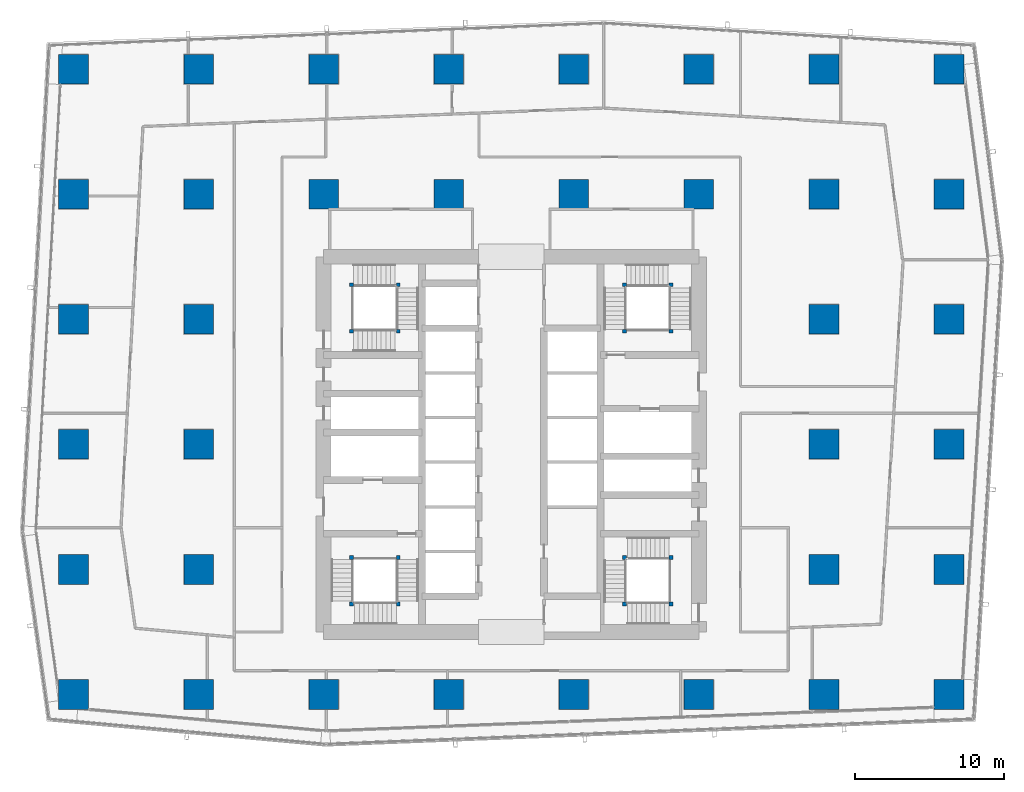
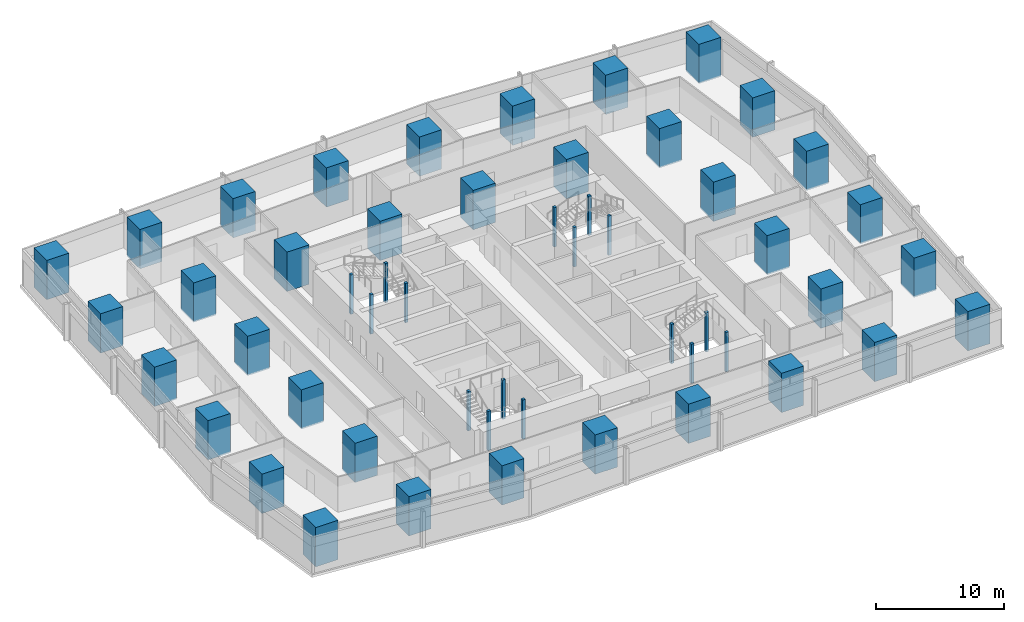
# One storey, part 1 of 39: 52 columns.
"""IFC4 building model written with IfcOpenShell, lengths in metres."""

from ifc_helpers import new_model, si_unit, direction, frame, origin, origin_2d, place, context, subcontext, project, spatial, rectangle, extrude, material, material_profile, profile_set, type_object, element, save


model = new_model("IFC4")

# Units and contexts
model_context = context("Model", 3, precision=1e-05, world=origin(), true_north=direction((0.0, 1.0)))
body_context = subcontext(model_context, "Body", "Model", "MODEL_VIEW")
ifc_project = project(units=[si_unit("LENGTHUNIT", "METRE"), si_unit("AREAUNIT", "SQUARE_METRE"), si_unit("VOLUMEUNIT", "CUBIC_METRE"), si_unit("PLANEANGLEUNIT", "RADIAN"), si_unit("MASSUNIT", "GRAM", prefix="KILO")], contexts=[model_context])

# Site, building, storey
site_placement = place(None, origin())
site = spatial("IfcSite", under=ifc_project, at=site_placement, CompositionType="ELEMENT")
building_placement = place(site_placement, origin())
building = spatial("IfcBuilding", under=site, at=building_placement, Name="Rekha Terrace Tower", CompositionType="ELEMENT")
storey_placement = place(building_placement, frame((0.0, 0.0, 147.800048828125)))
storey = spatial("IfcBuildingStorey", under=building, at=storey_placement, Name="L37", CompositionType="ELEMENT", Elevation=147.800048828125)

# Columns
ifc_material_1 = material(Name="Concrete M70", Category="concrete")
ifc_material_profile_1 = material_profile(ifc_material_1, rectangle(XDim=2.0, YDim=2.0, at=origin_2d()), Name="RC 2000x2000")
ifc_profile_set_1 = profile_set([ifc_material_profile_1], Name="Concrete M70")
column_type_1 = type_object("IfcColumnType", Name="C3C 2000x2000 column", PredefinedType="COLUMN", material=ifc_profile_set_1)
for number, where, z_axis, x_axis, name in (
    (1, (8.39990234375, 16.800048828125, 0.0), (0.0, 0.0, 1.0), (1.0, 0.0, 0.0), "Column C3C 2/C L37"),
    (2, (8.39990234375, 25.199951171875, 0.0), (0.0, 0.0, 1.0), (1.0, 0.0, 0.0), "Column C3C 2/D L37"),
    (3, (8.39990234375, 33.60009765625, 0.0), (0.0, 0.0, 1.0), (1.0, 0.0, 0.0), "Column C3C 2/E L37"),
    (4, (8.39990234375, 42.0, 0.0), (0.0, 0.0, 1.0), (1.0, 0.0, 0.0), "Column C3C 2/F L37"),
    (5, (8.39990234375, 50.39990234375, 0.0), (0.0, 0.0, 1.0), (1.0, 0.0, 0.0), "Column C3C 2/G L37"),
    (6, (8.39990234375, 58.800048828125, 0.0), (0.0, 0.0, 1.0), (1.0, 0.0, 0.0), "Column C3C 2/H L37"),
    (7, (16.800048828125, 16.800048828125, 0.0), (0.0, 0.0, 1.0), (1.0, 0.0, 0.0), "Column C3C 3/C L37"),
    (8, (16.800048828125, 25.199951171875, 0.0), (0.0, 0.0, 1.0), (1.0, 0.0, 0.0), "Column C3C 3/D L37"),
    (9, (16.800048828125, 33.60009765625, 0.0), (0.0, 0.0, 1.0), (1.0, 0.0, 0.0), "Column C3C 3/E L37"),
    (10, (16.800048828125, 42.0, 0.0), (0.0, 0.0, 1.0), (1.0, 0.0, 0.0), "Column C3C 3/F L37"),
    (11, (16.800048828125, 50.39990234375, 0.0), (0.0, 0.0, 1.0), (1.0, 0.0, 0.0), "Column C3C 3/G L37"),
    (12, (16.800048828125, 58.800048828125, 0.0), (0.0, 0.0, 1.0), (1.0, 0.0, 0.0), "Column C3C 3/H L37"),
    (13, (25.199951171875, 16.800048828125, 0.0), (0.0, 0.0, 1.0), (1.0, 0.0, 0.0), "Column C3C 4/C L37"),
    (14, (25.199951171875, 50.39990234375, 0.0), (0.0, 0.0, 1.0), (1.0, 0.0, 0.0), "Column C3C 4/G L37"),
    (15, (25.199951171875, 58.800048828125, 0.0), (0.0, 0.0, 1.0), (1.0, 0.0, 0.0), "Column C3C 4/H L37"),
    (16, (33.60009765625, 16.800048828125, 0.0), (0.0, 0.0, 1.0), (1.0, 0.0, 0.0), "Column C3C 5/C L37"),
    (17, (33.60009765625, 50.39990234375, 0.0), (0.0, 0.0, 1.0), (1.0, 0.0, 0.0), "Column C3C 5/G L37"),
    (18, (33.60009765625, 58.800048828125, 0.0), (0.0, 0.0, 1.0), (1.0, 0.0, 0.0), "Column C3C 5/H L37"),
    (19, (42.0, 16.800048828125, 0.0), (0.0, 0.0, 1.0), (1.0, 0.0, 0.0), "Column C3C 6/C L37"),
    (20, (42.0, 50.39990234375, 0.0), (0.0, 0.0, 1.0), (1.0, 0.0, 0.0), "Column C3C 6/G L37"),
    (21, (42.0, 58.800048828125, 0.0), (0.0, 0.0, 1.0), (1.0, 0.0, 0.0), "Column C3C 6/H L37"),
    (22, (50.39990234375, 16.800048828125, 0.0), (0.0, 0.0, 1.0), (1.0, 0.0, 0.0), "Column C3C 7/C L37"),
    (23, (50.39990234375, 50.39990234375, 0.0), (0.0, 0.0, 1.0), (1.0, 0.0, 0.0), "Column C3C 7/G L37"),
    (24, (50.39990234375, 58.800048828125, 0.0), (0.0, 0.0, 1.0), (1.0, 0.0, 0.0), "Column C3C 7/H L37"),
    (25, (58.800048828125, 16.800048828125, 0.0), (0.0, 0.0, 1.0), (1.0, 0.0, 0.0), "Column C3C 8/C L37"),
    (26, (58.800048828125, 25.199951171875, 0.0), (0.0, 0.0, 1.0), (1.0, 0.0, 0.0), "Column C3C 8/D L37"),
    (27, (58.800048828125, 33.60009765625, 0.0), (0.0, 0.0, 1.0), (1.0, 0.0, 0.0), "Column C3C 8/E L37"),
    (28, (58.800048828125, 42.0, 0.0), (0.0, 0.0, 1.0), (1.0, 0.0, 0.0), "Column C3C 8/F L37"),
    (29, (58.800048828125, 50.39990234375, 0.0), (0.0, 0.0, 1.0), (1.0, 0.0, 0.0), "Column C3C 8/G L37"),
    (30, (58.800048828125, 58.800048828125, 0.0), (0.0, 0.0, 1.0), (1.0, 0.0, 0.0), "Column C3C 8/H L37"),
    (31, (67.199951171875, 16.800048828125, 0.0), (0.0, 0.0, 1.0), (1.0, 0.0, 0.0), "Column C3C 9/C L37"),
    (32, (67.199951171875, 25.199951171875, 0.0), (0.0, 0.0, 1.0), (1.0, 0.0, 0.0), "Column C3C 9/D L37"),
    (33, (67.199951171875, 33.60009765625, 0.0), (0.0, 0.0, 1.0), (1.0, 0.0, 0.0), "Column C3C 9/E L37"),
    (34, (67.199951171875, 42.0, 0.0), (0.0, 0.0, 1.0), (1.0, 0.0, 0.0), "Column C3C 9/F L37"),
    (35, (67.199951171875, 50.39990234375, 0.0), (0.0, 0.0, 1.0), (1.0, 0.0, 0.0), "Column C3C 9/G L37"),
    (36, (67.199951171875, 58.800048828125, 0.0), (0.0, 0.0, 1.0), (1.0, 0.0, 0.0), "Column C3C 9/H L37"),
):
    element("IfcColumn", number, at=place(storey_placement, frame(where, z_axis=z_axis, x_axis=x_axis)), inside=storey, type_object=column_type_1, Name=name, PredefinedType="COLUMN", context=body_context, shape_type="SweptSolid", body=[
        extrude(rectangle(XDim=2.0, YDim=2.0, at=origin_2d()), origin(), (0.0, 0.0, 1.0), 3.75),
    ])
ifc_material_2 = material(Name="Concrete M60", Category="concrete")
ifc_material_profile_2 = material_profile(ifc_material_2, rectangle(XDim=0.25, YDim=0.25, at=origin_2d()), Name="RC 250x250")
ifc_profile_set_2 = profile_set([ifc_material_profile_2], Name="Concrete M60")
column_type_2 = type_object("IfcColumnType", Name="NP1 250x250 stair newel post", PredefinedType="COLUMN", material=ifc_profile_set_2)
for number, where, z_axis, x_axis, name in (
    (37, (30.199951171875, 26.0, 0.0), (0.0, 0.0, 1.0), (1.0, 0.0, 0.0), "Stair newel post NP1"),
    (38, (30.199951171875, 22.875, 0.0), (0.0, 0.0, 1.0), (1.0, 0.0, 0.0), "Stair newel post NP1"),
    (39, (27.074951171875, 22.875, 0.0), (0.0, 0.0, 1.0), (1.0, 0.0, 0.0), "Stair newel post NP1"),
    (40, (27.074951171875, 26.0, 0.0), (0.0, 0.0, 1.0), (1.0, 0.0, 0.0), "Stair newel post NP1"),
    (41, (45.39990234375, 41.199951171875, 0.0), (0.0, 0.0, 1.0), (1.0, 0.0, 0.0), "Stair newel post NP1"),
    (42, (45.39990234375, 44.324951171875, 0.0), (0.0, 0.0, 1.0), (1.0, 0.0, 0.0), "Stair newel post NP1"),
    (43, (48.52490234375, 44.324951171875, 0.0), (0.0, 0.0, 1.0), (1.0, 0.0, 0.0), "Stair newel post NP1"),
    (44, (48.52490234375, 41.199951171875, 0.0), (0.0, 0.0, 1.0), (1.0, 0.0, 0.0), "Stair newel post NP1"),
    (45, (48.52490234375, 22.875, 0.0), (0.0, 0.0, 1.0), (1.0, 0.0, 0.0), "Stair newel post NP1"),
    (46, (45.39990234375, 22.875, 0.0), (0.0, 0.0, 1.0), (1.0, 0.0, 0.0), "Stair newel post NP1"),
    (47, (45.39990234375, 26.0, 0.0), (0.0, 0.0, 1.0), (1.0, 0.0, 0.0), "Stair newel post NP1"),
    (48, (48.52490234375, 26.0, 0.0), (0.0, 0.0, 1.0), (1.0, 0.0, 0.0), "Stair newel post NP1"),
    (49, (27.074951171875, 41.199951171875, 0.0), (0.0, 0.0, 1.0), (1.0, 0.0, 0.0), "Stair newel post NP1"),
    (50, (30.199951171875, 41.199951171875, 0.0), (0.0, 0.0, 1.0), (1.0, 0.0, 0.0), "Stair newel post NP1"),
    (51, (30.199951171875, 44.324951171875, 0.0), (0.0, 0.0, 1.0), (1.0, 0.0, 0.0), "Stair newel post NP1"),
    (52, (27.074951171875, 44.324951171875, 0.0), (0.0, 0.0, 1.0), (1.0, 0.0, 0.0), "Stair newel post NP1"),
):
    element("IfcColumn", number, at=place(storey_placement, frame(where, z_axis=z_axis, x_axis=x_axis)), inside=storey, type_object=column_type_2, Name=name, PredefinedType="COLUMN", context=body_context, shape_type="SweptSolid", body=[
        extrude(rectangle(XDim=0.25, YDim=0.25, at=origin_2d()), origin(), (0.0, 0.0, 1.0), 3.75),
    ])

save(model, "model.ifc")
